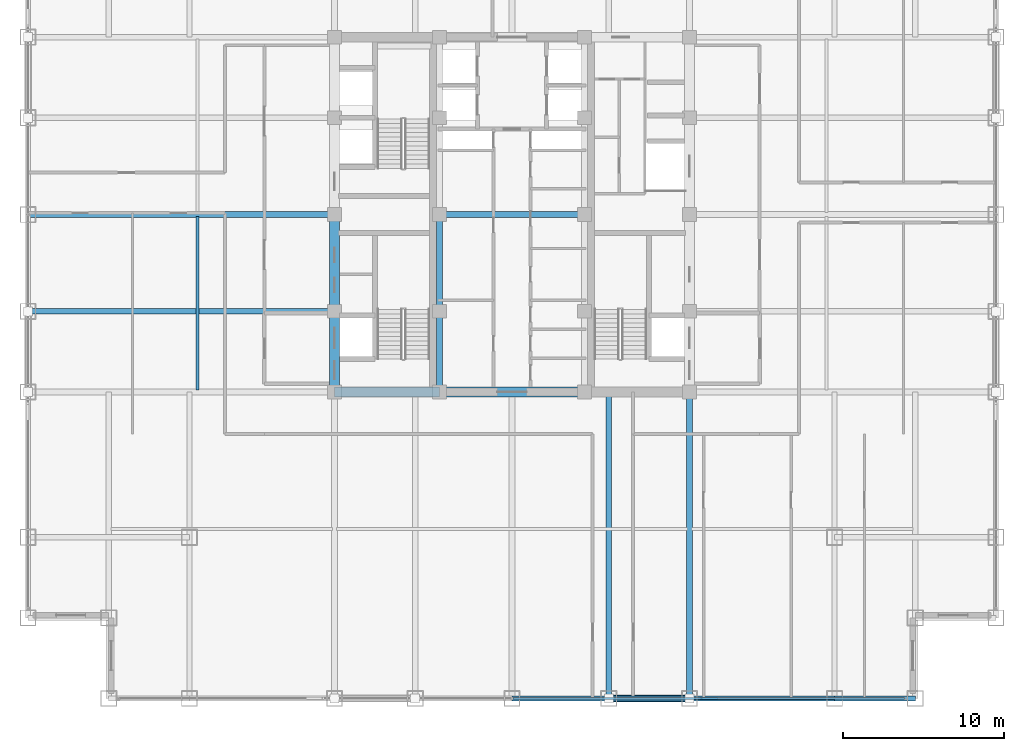
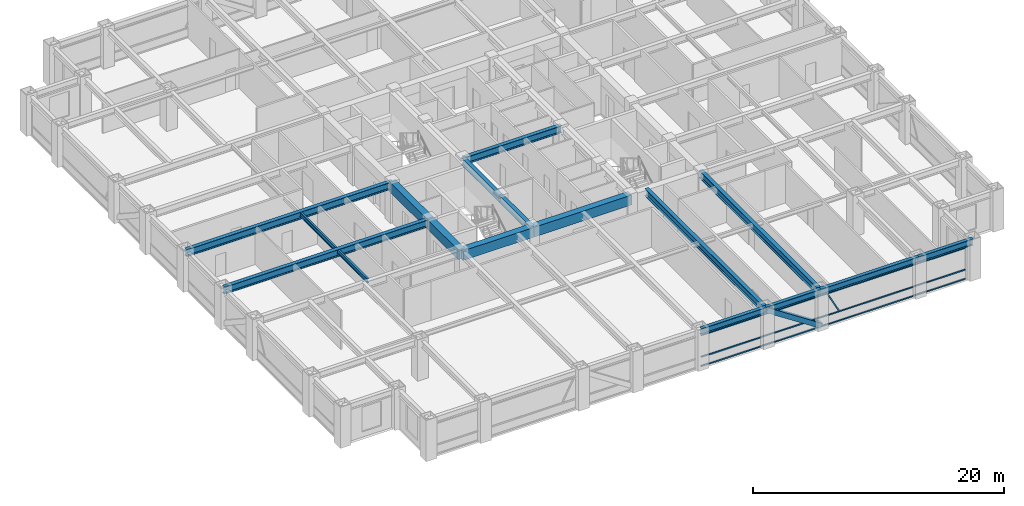
# One storey, part 7 of 25: 16 beams, 5 members, 1 element without a shape of its own.
"""IFC4 building model written with IfcOpenShell, lengths in metres."""

from ifc_helpers import new_model, si_unit, direction, frame, origin, origin_2d, place, context, subcontext, project, spatial, rectangle, hollow_rectangle, i_section, extrude, source, transform, mapped, material, material_profile, profile_set, type_object, element, aggregate, save


model = new_model("IFC4")

# Units and contexts
model_context = context("Model", 3, precision=1e-05, world=origin(), true_north=direction((0.0, 1.0)))
body_context = subcontext(model_context, "Body", "Model", "MODEL_VIEW")
ifc_project = project(units=[si_unit("LENGTHUNIT", "METRE"), si_unit("AREAUNIT", "SQUARE_METRE"), si_unit("VOLUMEUNIT", "CUBIC_METRE"), si_unit("PLANEANGLEUNIT", "RADIAN"), si_unit("MASSUNIT", "GRAM", prefix="KILO")], contexts=[model_context])

# Site, building, storey
site_placement = place(None, origin())
site = spatial("IfcSite", under=ifc_project, at=site_placement, CompositionType="ELEMENT")
building_placement = place(site_placement, origin())
building = spatial("IfcBuilding", under=site, at=building_placement, Name="Khorayat Bourse Tower", CompositionType="ELEMENT")
storey_placement = place(building_placement, frame((0.0, 0.0, 223.10009765625)))
storey = spatial("IfcBuildingStorey", under=building, at=storey_placement, Name="L52", CompositionType="ELEMENT", Elevation=223.10009765625)

# Beams
ifc_material_1 = material(Name="Steel ASTM A992 Grade 50", Category="steel")
ifc_material_profile_1 = material_profile(ifc_material_1, i_section(OverallWidth=0.35498046875, OverallDepth=0.695068359375, WebThickness=0.015380859375, FlangeThickness=0.02490234375, FilletRadius=0.01806640625, at=origin_2d()), Name="W690X217")
ifc_profile_set_1 = profile_set([ifc_material_profile_1], Name="Steel ASTM A992 Grade 50")
beam_type_1 = type_object("IfcBeamType", Name="BM-GIRD-690", PredefinedType="BEAM", material=ifc_profile_set_1)
shared_shape_1 = source(origin(), body_context, "Body", "SweptSolid", [
    extrude(i_section(OverallWidth=0.35498046875, OverallDepth=0.695068359375, WebThickness=0.015380859375, FlangeThickness=0.02490234375, FilletRadius=0.01806640625, at=origin_2d()), origin(), (0.0, 0.0, 1.0), 5.0),
])
beam_1_placement = place(storey_placement, frame((-4.5, -11.0, 3.432373046875), z_axis=(0.0, 1.0, 0.0), x_axis=(-1.0, 0.0, 0.0)))
element("IfcBeam", 1, at=beam_1_placement, inside=storey, type_object=beam_type_1, Name="L52 BM-GIRD-690 BM-L52-CRX-05", PredefinedType="BEAM", context=body_context, shape_type="MappedRepresentation", body=[
    mapped(shared_shape_1, transform((0.0, 0.0, 0.0), scale=1.0)),
])
shared_shape_2 = source(origin(), body_context, "Body", "SweptSolid", [
    extrude(i_section(OverallWidth=0.35498046875, OverallDepth=0.695068359375, WebThickness=0.015380859375, FlangeThickness=0.02490234375, FilletRadius=0.01806640625, at=origin_2d()), origin(), (0.0, 0.0, 1.0), 6.0),
])
beam_2_placement = place(storey_placement, frame((-4.5, -6.0, 3.432373046875), z_axis=(0.0, 1.0, 0.0), x_axis=(-1.0, 0.0, 0.0)))
element("IfcBeam", 2, at=beam_2_placement, inside=storey, type_object=beam_type_1, Name="L52 BM-GIRD-690 BM-L52-CRX-06", PredefinedType="BEAM", context=body_context, shape_type="MappedRepresentation", body=[
    mapped(shared_shape_2, transform((0.0, 0.0, 0.0), scale=1.0)),
])
shared_shape_3 = source(origin(), body_context, "Body", "SweptSolid", [
    extrude(i_section(OverallWidth=0.35498046875, OverallDepth=0.695068359375, WebThickness=0.015380859375, FlangeThickness=0.02490234375, FilletRadius=0.01806640625, at=origin_2d()), origin(), (0.0, 0.0, 1.0), 9.0),
])
beam_3_placement = place(storey_placement, frame((-4.5, 0.0, 3.432373046875), z_axis=(1.0, 0.0, 0.0), x_axis=(0.0, 1.0, 0.0)))
element("IfcBeam", 3, at=beam_3_placement, inside=storey, type_object=beam_type_1, Name="L52 BM-GIRD-690 BM-L52-CRY-23", PredefinedType="BEAM", context=body_context, shape_type="MappedRepresentation", body=[
    mapped(shared_shape_3, transform((0.0, 0.0, 0.0), scale=1.0)),
])
ifc_material_profile_2 = material_profile(ifc_material_1, i_section(OverallWidth=0.180908203125, OverallDepth=0.4169921875, WebThickness=0.010986328125, FlangeThickness=0.018310546875, FilletRadius=0.011962890625, at=origin_2d()), Name="W410X85")
ifc_profile_set_2 = profile_set([ifc_material_profile_2], Name="Steel ASTM A992 Grade 50")
beam_type_2 = type_object("IfcBeamType", Name="BM-JOIST-410", PredefinedType="JOIST", material=ifc_profile_set_2)
shared_shape_4 = source(origin(), body_context, "Body", "SweptSolid", [
    extrude(i_section(OverallWidth=0.180908203125, OverallDepth=0.4169921875, WebThickness=0.010986328125, FlangeThickness=0.018310546875, FilletRadius=0.011962890625, at=origin_2d()), origin(), (0.0, 0.0, 1.0), 10.740234375),
])
beam_4_placement = place(storey_placement, frame((-19.5, -10.8701171875, 3.5712890625), z_axis=(0.0, 1.0, 0.0), x_axis=(-1.0, 0.0, 0.0)))
element("IfcBeam", 4, at=beam_4_placement, inside=storey, type_object=beam_type_2, Name="L52 BM-JOIST-410 BM-L52-JSTY-102", PredefinedType="JOIST", context=body_context, shape_type="MappedRepresentation", body=[
    mapped(shared_shape_4, transform((0.0, 0.0, 0.0), scale=1.0)),
])
ifc_material_profile_3 = material_profile(ifc_material_1, i_section(OverallWidth=0.324951171875, OverallDepth=0.615966796875, WebThickness=0.013916015625, FlangeThickness=0.021484375, FilletRadius=0.01611328125, at=origin_2d()), Name="W610X174")
ifc_profile_set_3 = profile_set([ifc_material_profile_3], Name="Steel ASTM A992 Grade 50")
beam_type_3 = type_object("IfcBeamType", Name="BM-SPAN-610", PredefinedType="SPANDREL", material=ifc_profile_set_3)
shared_shape_5 = source(origin(), body_context, "Body", "SweptSolid", [
    extrude(i_section(OverallWidth=0.324951171875, OverallDepth=0.615966796875, WebThickness=0.013916015625, FlangeThickness=0.021484375, FilletRadius=0.01611328125, at=origin_2d()), origin(), (0.0, 0.0, 1.0), 9.0),
])
beam_5_placement = place(storey_placement, frame((11.0, -30.0, 3.471923828125), z_axis=(1.0, 0.0, 0.0), x_axis=(0.0, 1.0, 0.0)))
element("IfcBeam", 5, at=beam_5_placement, inside=storey, type_object=beam_type_3, Name="L52 BM-SPAN-610 BM-L52-SPN-030", PredefinedType="SPANDREL", context=body_context, shape_type="MappedRepresentation", body=[
    mapped(shared_shape_5, transform((0.0, 0.0, 0.0), scale=1.0)),
])
shared_shape_6 = source(origin(), body_context, "Body", "SweptSolid", [
    extrude(i_section(OverallWidth=0.324951171875, OverallDepth=0.615966796875, WebThickness=0.013916015625, FlangeThickness=0.021484375, FilletRadius=0.01611328125, at=origin_2d()), origin(), (0.0, 0.0, 1.0), 5.0),
])
for number, where, z_axis, x_axis, name in (
    (6, (6.0, -30.0, 3.471923828125), (1.0, 0.0, 0.0), (0.0, 1.0, 0.0), "L52 BM-SPAN-610 BM-L52-SPN-029"),
    (7, (20.0, -30.0, 3.471923828125), (1.0, 0.0, 0.0), (0.0, 1.0, 0.0), "L52 BM-SPAN-610 BM-L52-SPN-031"),
):
    element("IfcBeam", number, at=place(storey_placement, frame(where, z_axis=z_axis, x_axis=x_axis)), inside=storey, type_object=beam_type_3, Name=name, PredefinedType="SPANDREL", context=body_context, shape_type="MappedRepresentation", body=[
        mapped(shared_shape_6, transform((0.0, 0.0, 0.0), scale=1.0)),
    ])
shared_shape_7 = source(origin(), body_context, "Body", "SweptSolid", [
    extrude(i_section(OverallWidth=0.324951171875, OverallDepth=0.615966796875, WebThickness=0.013916015625, FlangeThickness=0.021484375, FilletRadius=0.01611328125, at=origin_2d()), origin(), (0.0, 0.0, 1.0), 6.0),
])
beam_6_placement = place(storey_placement, frame((0.0, -30.0, 3.471923828125), z_axis=(1.0, 0.0, 0.0), x_axis=(0.0, 1.0, 0.0)))
element("IfcBeam", 8, at=beam_6_placement, inside=storey, type_object=beam_type_3, Name="L52 BM-SPAN-610 BM-L52-SPN-028", PredefinedType="SPANDREL", context=body_context, shape_type="MappedRepresentation", body=[
    mapped(shared_shape_7, transform((0.0, 0.0, 0.0), scale=1.0)),
])
ifc_material_2 = material(Name="Concrete C60/75", Category="concrete")
ifc_material_profile_4 = material_profile(ifc_material_2, rectangle(XDim=0.60009765625, YDim=0.949951171875, at=origin_2d()), Name="RC 600x950")
ifc_profile_set_4 = profile_set([ifc_material_profile_4], Name="Concrete C60/75")
beam_type_4 = type_object("IfcBeamType", Name="BM-COUP-950", PredefinedType="BEAM", material=ifc_profile_set_4)
shared_shape_8 = source(origin(), body_context, "Body", "SweptSolid", [
    extrude(rectangle(XDim=0.60009765625, YDim=0.949951171875, at=origin_2d()), origin(), (0.0, 0.0, 1.0), 5.0),
])
beam_7_placement = place(storey_placement, frame((-11.0, -11.0, 3.304931640625), z_axis=(0.0, 1.0, 0.0), x_axis=(-1.0, 0.0, 0.0)))
element("IfcBeam", 9, at=beam_7_placement, inside=storey, type_object=beam_type_4, Name="L52 BM-COUP-950 BM-L52-CRX-01", PredefinedType="BEAM", context=body_context, shape_type="MappedRepresentation", body=[
    mapped(shared_shape_8, transform((0.0, 0.0, 0.0), scale=1.0)),
])
shared_shape_9 = source(origin(), body_context, "Body", "SweptSolid", [
    extrude(rectangle(XDim=0.60009765625, YDim=0.949951171875, at=origin_2d()), origin(), (0.0, 0.0, 1.0), 6.0),
])
beam_8_placement = place(storey_placement, frame((-11.0, -6.0, 3.304931640625), z_axis=(0.0, 1.0, 0.0), x_axis=(-1.0, 0.0, 0.0)))
element("IfcBeam", 10, at=beam_8_placement, inside=storey, type_object=beam_type_4, Name="L52 BM-COUP-950 BM-L52-CRX-02", PredefinedType="BEAM", context=body_context, shape_type="MappedRepresentation", body=[
    mapped(shared_shape_9, transform((0.0, 0.0, 0.0), scale=1.0)),
])
shared_shape_10 = source(origin(), body_context, "Body", "SweptSolid", [
    extrude(rectangle(XDim=0.60009765625, YDim=0.949951171875, at=origin_2d()), origin(), (0.0, 0.0, 1.0), 6.5),
])
beam_9_placement = place(storey_placement, frame((-11.0, -11.0, 3.304931640625), z_axis=(1.0, 0.0, 0.0), x_axis=(0.0, 1.0, 0.0)))
element("IfcBeam", 11, at=beam_9_placement, inside=storey, type_object=beam_type_4, Name="L52 BM-COUP-950 BM-L52-CRY-17", PredefinedType="BEAM", context=body_context, shape_type="MappedRepresentation", body=[
    mapped(shared_shape_10, transform((0.0, 0.0, 0.0), scale=1.0)),
])
shared_shape_11 = source(origin(), body_context, "Body", "SweptSolid", [
    extrude(rectangle(XDim=0.60009765625, YDim=0.949951171875, at=origin_2d()), origin(), (0.0, 0.0, 1.0), 9.0),
])
beam_10_placement = place(storey_placement, frame((-4.5, -11.0, 3.304931640625), z_axis=(1.0, 0.0, 0.0), x_axis=(0.0, 1.0, 0.0)))
element("IfcBeam", 12, at=beam_10_placement, inside=storey, type_object=beam_type_4, Name="L52 BM-COUP-950 BM-L52-CRY-18", PredefinedType="BEAM", context=body_context, shape_type="MappedRepresentation", body=[
    mapped(shared_shape_11, transform((0.0, 0.0, 0.0), scale=1.0)),
])
shared_shape_12 = source(origin(), body_context, "Body", "SweptSolid", [
    extrude(i_section(OverallWidth=0.35498046875, OverallDepth=0.695068359375, WebThickness=0.015380859375, FlangeThickness=0.02490234375, FilletRadius=0.01806640625, at=origin_2d()), origin(), (0.0, 0.0, 1.0), 19.0),
])
for number, where, z_axis, x_axis, name in (
    (13, (6.0, -30.0, 3.432373046875), (0.0, 1.0, 0.0), (-1.0, 0.0, 0.0), "L52 BM-GIRD-690 BM-L52-RADY-071"),
    (14, (11.0, -30.0, 3.432373046875), (0.0, 1.0, 0.0), (-1.0, 0.0, 0.0), "L52 BM-GIRD-690 BM-L52-RADY-073"),
    (15, (-30.0, -6.0, 3.432373046875), (1.0, 0.0, 0.0), (0.0, 1.0, 0.0), "L52 BM-GIRD-690 BM-L52-RADX-077"),
    (16, (-30.0, 0.0, 3.432373046875), (1.0, 0.0, 0.0), (0.0, 1.0, 0.0), "L52 BM-GIRD-690 BM-L52-RADX-079"),
):
    element("IfcBeam", number, at=place(storey_placement, frame(where, z_axis=z_axis, x_axis=x_axis)), inside=storey, type_object=beam_type_1, Name=name, PredefinedType="BEAM", context=body_context, shape_type="MappedRepresentation", body=[
        mapped(shared_shape_12, transform((0.0, 0.0, 0.0), scale=1.0)),
    ])

# Member
ifc_material_3 = material(Name="Steel EN 10025-4 S460M", Category="steel")
ifc_material_profile_5 = material_profile(ifc_material_3, hollow_rectangle(XDim=0.449951171875, YDim=0.449951171875, WallThickness=0.02490234375, at=origin_2d()), Name="HSS 450x450x25")
ifc_profile_set_5 = profile_set([ifc_material_profile_5], Name="Steel EN 10025-4 S460M")
member_type_1 = type_object("IfcMemberType", Name="MBR-TUBE-450", PredefinedType="BRACE", material=ifc_profile_set_5)
shared_shape_13 = source(origin(), body_context, "Body", "SweptSolid", [
    extrude(hollow_rectangle(XDim=0.449951171875, YDim=0.449951171875, WallThickness=0.02490234375, at=origin_2d()), origin(), (0.0, 0.0, 1.0), 5.979736328125),
])
member_1_placement = place(storey_placement, frame((6.0, -30.0, 3.52978515625), z_axis=(0.836160261256, 0.0, -0.548485202623), x_axis=(0.0, 1.0, 0.0)))
element("IfcMember", 17, at=member_1_placement, inside=storey, type_object=member_type_1, Name="L52 Perimeter Tube Brace 02", PredefinedType="BRACE", context=body_context, shape_type="MappedRepresentation", body=[
    mapped(shared_shape_13, transform((0.0, 0.0, 0.0), scale=1.0)),
])

# Curtain wall, members
ifc_material_4 = material(Name="Aluminium EN AW-6063 T6", Category="aluminium")
curtain_wall_type = type_object("IfcCurtainWallType", Name="CW-SYS-03", PredefinedType="NOTDEFINED", material=ifc_material_4)
curtain_wall_placement = place(storey_placement, origin())
curtain_wall = element("IfcCurtainWall", 18, at=curtain_wall_placement, inside=storey, type_object=curtain_wall_type, Name="L52 Curtain Wall CW-L52-S1", PredefinedType="NOTDEFINED")
ifc_material_profile_6 = material_profile(ifc_material_4, hollow_rectangle(XDim=0.1201171875, YDim=0.1201171875, WallThickness=0.0048828125, at=origin_2d()), Name="ALU 120x120x5")
ifc_profile_set_6 = profile_set([ifc_material_profile_6], Name="Aluminium EN AW-6063 T6")
member_type_2 = type_object("IfcMemberType", Name="CWM-DIAG-120", PredefinedType="MULLION", material=ifc_profile_set_6)
shared_shape_14 = source(origin(), body_context, "Body", "SweptSolid", [
    extrude(hollow_rectangle(XDim=0.1201171875, YDim=0.1201171875, WallThickness=0.0048828125, at=origin_2d()), origin(), (0.0, 0.0, 1.0), 2.079345703125),
])
member_2_placement = place(storey_placement, frame((12.67919921875, -30.0, 1.08984375), z_axis=(-0.465760949701, 0.0, 0.884910581773), x_axis=(0.0, -1.0, 0.0)))
member_2 = element("IfcMember", 19, at=member_2_placement, type_object=member_type_2, Name="CW-L52-S1 Faceted Diagonal Mullion 2", PredefinedType="MULLION", context=body_context, shape_type="MappedRepresentation", body=[
    mapped(shared_shape_14, transform((0.0, 0.0, 0.0), scale=1.0)),
])
ifc_material_profile_7 = material_profile(ifc_material_4, hollow_rectangle(XDim=0.1201171875, YDim=0.1201171875, WallThickness=0.0048828125, at=origin_2d()), Name="ALU 120x120x5")
ifc_profile_set_7 = profile_set([ifc_material_profile_7], Name="Aluminium EN AW-6063 T6")
member_type_3 = type_object("IfcMemberType", Name="CWT-HORZ-120", PredefinedType="USERDEFINED", material=ifc_profile_set_7)
shared_shape_15 = source(origin(), body_context, "Body", "SweptSolid", [
    extrude(hollow_rectangle(XDim=0.1201171875, YDim=0.1201171875, WallThickness=0.0048828125, at=origin_2d()), origin(), (0.0, 0.0, 1.0), 24.27001953125),
])
member_3_placement = place(storey_placement, frame((0.06005859375, -30.0, 0.059814453125), z_axis=(1.0, 0.0, 0.0), x_axis=(0.0, 1.0, 0.0)))
member_3 = element("IfcMember", 20, at=member_3_placement, type_object=member_type_3, Name="CW-L52-S1 Horizontal Transom 2-1", ObjectType="TRANSOM", PredefinedType="USERDEFINED", context=body_context, shape_type="MappedRepresentation", body=[
    mapped(shared_shape_15, transform((0.0, 0.0, 0.0), scale=1.0)),
])
member_4_placement = place(storey_placement, frame((0.06005859375, -30.0, 0.949951171875), z_axis=(1.0, 0.0, 0.0), x_axis=(0.0, 1.0, 0.0)))
member_4 = element("IfcMember", 21, at=member_4_placement, type_object=member_type_3, Name="CW-L52-S1 Horizontal Transom 2-2", ObjectType="TRANSOM", PredefinedType="USERDEFINED", context=body_context, shape_type="MappedRepresentation", body=[
    mapped(shared_shape_15, transform((0.0, 0.0, 0.0), scale=1.0)),
])
member_5_placement = place(storey_placement, frame((0.06005859375, -30.0, 3.06982421875), z_axis=(1.0, 0.0, 0.0), x_axis=(0.0, 1.0, 0.0)))
member_5 = element("IfcMember", 22, at=member_5_placement, type_object=member_type_3, Name="CW-L52-S1 Horizontal Transom 2-3", ObjectType="TRANSOM", PredefinedType="USERDEFINED", context=body_context, shape_type="MappedRepresentation", body=[
    mapped(shared_shape_15, transform((0.0, 0.0, 0.0), scale=1.0)),
])
aggregate(curtain_wall, [member_3, member_4, member_5, member_2])

save(model, "model.ifc")
